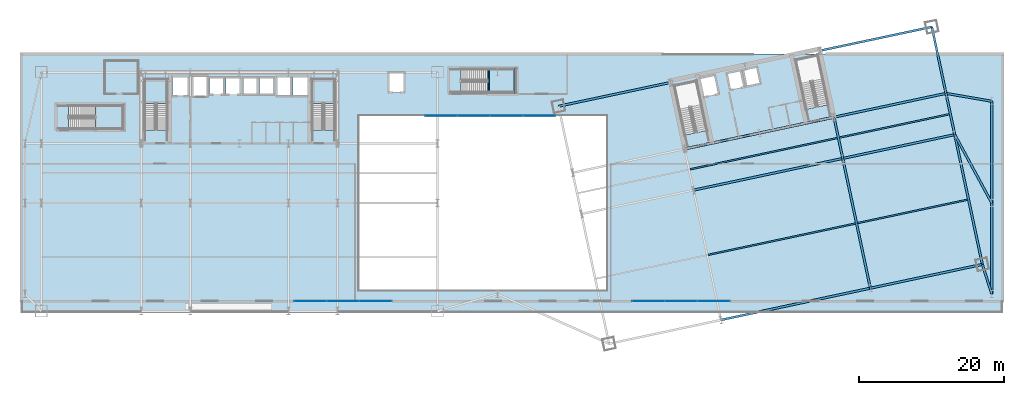
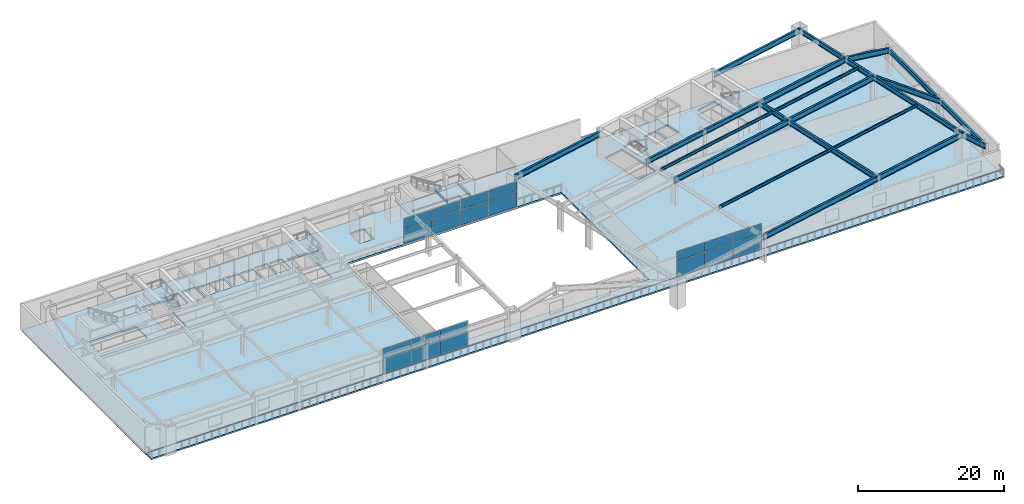
# One storey, part 17 of 35: 25 beams, 20 plates, 6 slabs, 7 elements without a shape of their own.
"""IFC4 building model written with IfcOpenShell, lengths in metres."""

from ifc_helpers import new_model, si_unit, direction, frame, origin, origin_2d, place, context, subcontext, project, spatial, polyline, rectangle, i_section, outline, extrude, material, layer, layer_set, material_profile, profile_set, type_object, element, aggregate, save


model = new_model("IFC4")

# Units and contexts
model_context = context("Model", 3, precision=1e-05, world=origin(), true_north=direction((0.0, 1.0)))
body_context = subcontext(model_context, "Body", "Model", "MODEL_VIEW")
ifc_project = project(units=[si_unit("LENGTHUNIT", "METRE"), si_unit("AREAUNIT", "SQUARE_METRE"), si_unit("VOLUMEUNIT", "CUBIC_METRE"), si_unit("PLANEANGLEUNIT", "RADIAN"), si_unit("MASSUNIT", "GRAM", prefix="KILO")], contexts=[model_context])

# Site, building, storey
site_placement = place(None, origin())
site = spatial("IfcSite", under=ifc_project, at=site_placement, CompositionType="ELEMENT")
building_placement = place(site_placement, origin())
building = spatial("IfcBuilding", under=site, at=building_placement, Name="Haevon Station Towers", CompositionType="ELEMENT")
storey_placement = place(building_placement, frame((0.0, 0.0, 20.39990234375)))
storey = spatial("IfcBuildingStorey", under=building, at=storey_placement, Name="L04", CompositionType="ELEMENT", Elevation=20.39990234375)

# Beams
ifc_material_1 = material(Name="Steel S355", Category="steel")
ifc_material_profile_1 = material_profile(ifc_material_1, i_section(OverallWidth=0.199951171875, OverallDepth=0.449951171875, WebThickness=0.009033203125, FlangeThickness=0.013916015625, at=origin_2d()), Name="H-450x200x9x14")
ifc_profile_set_1 = profile_set([ifc_material_profile_1], Name="Steel S355")
beam_type_1 = type_object("IfcBeamType", Name="BM-J450", PredefinedType="JOIST", material=ifc_profile_set_1)
beam_1_placement = place(storey_placement, frame((101.963134765625, 22.866455078125, 4.22509765625), z_axis=(0.97814804034, 0.207909622623, 0.0), x_axis=(-0.207909622623, 0.97814804034, 0.0)))
element("IfcBeam", 1, at=beam_1_placement, inside=storey, type_object=beam_type_1, Name="BM-T2J-L04-01-02", PredefinedType="JOIST", context=body_context, shape_type="SweptSolid", body=[
    extrude(i_section(OverallWidth=0.199951171875, OverallDepth=0.449951171875, WebThickness=0.009033203125, FlangeThickness=0.013916015625, at=origin_2d()), origin(), (0.0, 0.0, 1.0), 20.77978515625),
])
beam_2_placement = place(storey_placement, frame((122.504150390625, 27.232666015625, 4.22509765625), z_axis=(0.978149141128, 0.207904443699, 0.0), x_axis=(-0.207904443699, 0.978149141128, 0.0)))
element("IfcBeam", 2, at=beam_2_placement, inside=storey, type_object=beam_type_1, Name="BM-T2J-L04-01-03", PredefinedType="JOIST", context=body_context, shape_type="SweptSolid", body=[
    extrude(i_section(OverallWidth=0.199951171875, OverallDepth=0.449951171875, WebThickness=0.009033203125, FlangeThickness=0.013916015625, at=origin_2d()), origin(), (0.0, 0.0, 1.0), 15.530029296875),
])
beam_3_placement = place(storey_placement, frame((99.462890625, 34.628662109375, 4.22509765625), z_axis=(0.978148548197, 0.207907233306, 0.0), x_axis=(-0.207907233306, 0.978148548197, 0.0)))
element("IfcBeam", 3, at=beam_3_placement, inside=storey, type_object=beam_type_1, Name="BM-T2J-L04-02-02", PredefinedType="JOIST", context=body_context, shape_type="SweptSolid", body=[
    extrude(i_section(OverallWidth=0.199951171875, OverallDepth=0.449951171875, WebThickness=0.009033203125, FlangeThickness=0.013916015625, at=origin_2d()), origin(), (0.0, 0.0, 1.0), 20.780029296875),
])
beam_4_placement = place(storey_placement, frame((120.00390625, 38.994873046875, 4.22509765625), z_axis=(0.978149141128, 0.207904443699, 0.0), x_axis=(-0.207904443699, 0.978149141128, 0.0)))
element("IfcBeam", 4, at=beam_4_placement, inside=storey, type_object=beam_type_1, Name="BM-T2J-L04-02-03", PredefinedType="JOIST", context=body_context, shape_type="SweptSolid", body=[
    extrude(i_section(OverallWidth=0.199951171875, OverallDepth=0.449951171875, WebThickness=0.009033203125, FlangeThickness=0.013916015625, at=origin_2d()), origin(), (0.0, 0.0, 1.0), 15.530029296875),
])
ifc_material_profile_2 = material_profile(ifc_material_1, i_section(OverallWidth=0.14990234375, OverallDepth=0.300048828125, WebThickness=0.006591796875, FlangeThickness=0.009033203125, at=origin_2d()), Name="H-300x150x6.5x9")
ifc_profile_set_2 = profile_set([ifc_material_profile_2], Name="Steel S355")
beam_type_2 = type_object("IfcBeamType", Name="BM-LIN300", PredefinedType="LINTEL", material=ifc_profile_set_2)
for number, where, z_axis, x_axis, name in (
    (5, (71.81396484375, 45.0, 2.050048828125), (0.0, 1.0, 0.0), (-1.0, 0.0, 0.0), "BM-ST6L-L04-1-W"),
    (6, (75.320068359375, 45.0, 2.050048828125), (0.0, 1.0, 0.0), (-1.0, 0.0, 0.0), "BM-ST6L-L04-1-E"),
):
    element("IfcBeam", number, at=place(storey_placement, frame(where, z_axis=z_axis, x_axis=x_axis)), inside=storey, type_object=beam_type_2, Name=name, PredefinedType="LINTEL", context=body_context, shape_type="SweptSolid", body=[
        extrude(i_section(OverallWidth=0.14990234375, OverallDepth=0.300048828125, WebThickness=0.006591796875, FlangeThickness=0.009033203125, at=origin_2d()), origin(), (0.0, 0.0, 1.0), 3.60009765625),
    ])
ifc_material_profile_3 = material_profile(ifc_material_1, i_section(OverallWidth=0.300048828125, OverallDepth=0.800048828125, WebThickness=0.013916015625, FlangeThickness=0.02587890625, at=origin_2d()), Name="H-800x300x14x26")
ifc_profile_set_3 = profile_set([ifc_material_profile_3], Name="Steel S355")
beam_type_3 = type_object("IfcBeamType", Name="BM-PG800", PredefinedType="BEAM", material=ifc_profile_set_3)
for number, where, z_axis, x_axis, name in (
    (7, (98.75244140625, 37.4423828125, 4.050048828125), (0.978146794194, 0.207915485254, 0.0), (-0.207915485254, 0.978146794194, 0.0), "BM-T2U-L04-03-02"),
    (8, (109.02294921875, 39.62548828125, 4.050048828125), (0.978146794194, 0.207915485254, 0.0), (-0.207915485254, 0.978146794194, 0.0), "BM-T2U-L04-03-03"),
):
    element("IfcBeam", number, at=place(storey_placement, frame(where, z_axis=z_axis, x_axis=x_axis)), inside=storey, type_object=beam_type_3, Name=name, PredefinedType="BEAM", context=body_context, shape_type="SweptSolid", body=[
        extrude(i_section(OverallWidth=0.300048828125, OverallDepth=0.800048828125, WebThickness=0.013916015625, FlangeThickness=0.02587890625, at=origin_2d()), origin(), (0.0, 0.0, 1.0), 10.5),
    ])
beam_5_placement = place(storey_placement, frame((124.293701171875, 18.2841796875, 4.050048828125), z_axis=(-0.207915393978, 0.978146813595, 0.0), x_axis=(-0.978146813595, -0.207915393978, 0.0)))
element("IfcBeam", 9, at=beam_5_placement, inside=storey, type_object=beam_type_3, Name="BM-T2V-L04-04-01", PredefinedType="BEAM", context=body_context, shape_type="SweptSolid", body=[
    extrude(i_section(OverallWidth=0.300048828125, OverallDepth=0.800048828125, WebThickness=0.013916015625, FlangeThickness=0.02587890625, at=origin_2d()), origin(), (0.0, 0.0, 1.0), 18.25),
])
beam_6_placement = place(storey_placement, frame((120.499267578125, 36.13525390625, 4.050048828125), z_axis=(-0.207896009217, 0.97815093383, 0.0), x_axis=(-0.97815093383, -0.207896009217, 0.0)))
element("IfcBeam", 10, at=beam_6_placement, inside=storey, type_object=beam_type_3, Name="BM-T2V-L04-04-02", PredefinedType="BEAM", context=body_context, shape_type="SweptSolid", body=[
    extrude(i_section(OverallWidth=0.300048828125, OverallDepth=0.800048828125, WebThickness=0.013916015625, FlangeThickness=0.02587890625, at=origin_2d()), origin(), (0.0, 0.0, 1.0), 5.800048828125),
])
beam_7_placement = place(storey_placement, frame((139.699462890625, 21.558837890625, 4.050048828125), z_axis=(-0.207902594577, 0.978149534155, 0.0), x_axis=(-0.978149534155, -0.207902594577, 0.0)))
element("IfcBeam", 11, at=beam_7_placement, inside=storey, type_object=beam_type_3, Name="BM-T2V-L04-05-01", PredefinedType="BEAM", context=body_context, shape_type="SweptSolid", body=[
    extrude(i_section(OverallWidth=0.300048828125, OverallDepth=0.800048828125, WebThickness=0.013916015625, FlangeThickness=0.02587890625, at=origin_2d()), origin(), (0.0, 0.0, 1.0), 18.249755859375),
])
beam_8_placement = place(storey_placement, frame((135.9052734375, 39.409912109375, 4.050048828125), z_axis=(-0.207936282142, 0.978142373363, 0.0), x_axis=(-0.978142373363, -0.207936282142, 0.0)))
element("IfcBeam", 12, at=beam_8_placement, inside=storey, type_object=beam_type_3, Name="BM-T2V-L04-05-02", PredefinedType="BEAM", context=body_context, shape_type="SweptSolid", body=[
    extrude(i_section(OverallWidth=0.300048828125, OverallDepth=0.800048828125, WebThickness=0.013916015625, FlangeThickness=0.02587890625, at=origin_2d()), origin(), (0.0, 0.0, 1.0), 5.800048828125),
])
beam_9_placement = place(storey_placement, frame((134.69921875, 45.083251953125, 4.050048828125), z_axis=(-0.207902477038, 0.978149559138, 0.0), x_axis=(-0.978149559138, -0.207902477038, 0.0)))
element("IfcBeam", 13, at=beam_9_placement, inside=storey, type_object=beam_type_3, Name="BM-T2V-L04-05-03", PredefinedType="BEAM", context=body_context, shape_type="SweptSolid", body=[
    extrude(i_section(OverallWidth=0.300048828125, OverallDepth=0.800048828125, WebThickness=0.013916015625, FlangeThickness=0.02587890625, at=origin_2d()), origin(), (0.0, 0.0, 1.0), 9.349853515625),
])
beam_10_placement = place(storey_placement, frame((141.0, 17.5, 4.050048828125), z_axis=(0.0, 1.0, 0.0), x_axis=(-1.0, 0.0, 0.0)))
element("IfcBeam", 14, at=beam_10_placement, inside=storey, type_object=beam_type_3, Name="BM-PODNS-L04-E1", PredefinedType="BEAM", context=body_context, shape_type="SweptSolid", body=[
    extrude(i_section(OverallWidth=0.300048828125, OverallDepth=0.800048828125, WebThickness=0.013916015625, FlangeThickness=0.02587890625, at=origin_2d()), origin(), (0.0, 0.0, 1.0), 12.5),
])
beam_11_placement = place(storey_placement, frame((141.0, 30.0, 4.050048828125), z_axis=(0.0, 1.0, 0.0), x_axis=(-1.0, 0.0, 0.0)))
element("IfcBeam", 15, at=beam_11_placement, inside=storey, type_object=beam_type_3, Name="BM-PODNS-L04-E2", PredefinedType="BEAM", context=body_context, shape_type="SweptSolid", body=[
    extrude(i_section(OverallWidth=0.300048828125, OverallDepth=0.800048828125, WebThickness=0.013916015625, FlangeThickness=0.02587890625, at=origin_2d()), origin(), (0.0, 0.0, 1.0), 14.0),
])
ifc_material_profile_4 = material_profile(ifc_material_1, i_section(OverallWidth=0.300048828125, OverallDepth=0.89990234375, WebThickness=0.01611328125, FlangeThickness=0.028076171875, at=origin_2d()), Name="H-900x300x16x28")
ifc_profile_set_4 = profile_set([ifc_material_profile_4], Name="Steel S355")
beam_type_4 = type_object("IfcBeamType", Name="BM-PG900", PredefinedType="BEAM", material=ifc_profile_set_4)
beam_12_placement = place(storey_placement, frame((103.752685546875, 13.91796875, 4.0), z_axis=(0.978146794194, 0.207915485254, 0.0), x_axis=(-0.207915485254, 0.978146794194, 0.0)))
element("IfcBeam", 16, at=beam_12_placement, inside=storey, type_object=beam_type_4, Name="BM-T2U-L04-01-02", PredefinedType="BEAM", context=body_context, shape_type="SweptSolid", body=[
    extrude(i_section(OverallWidth=0.300048828125, OverallDepth=0.89990234375, WebThickness=0.01611328125, FlangeThickness=0.028076171875, at=origin_2d()), origin(), (0.0, 0.0, 1.0), 21.0),
])
beam_13_placement = place(storey_placement, frame((124.293701171875, 18.2841796875, 4.0), z_axis=(0.978146794194, 0.207915485254, 0.0), x_axis=(-0.207915485254, 0.978146794194, 0.0)))
element("IfcBeam", 17, at=beam_13_placement, inside=storey, type_object=beam_type_4, Name="BM-T2U-L04-01-04", PredefinedType="BEAM", context=body_context, shape_type="SweptSolid", body=[
    extrude(i_section(OverallWidth=0.300048828125, OverallDepth=0.89990234375, WebThickness=0.01611328125, FlangeThickness=0.028076171875, at=origin_2d()), origin(), (0.0, 0.0, 1.0), 15.75),
])
beam_14_placement = place(storey_placement, frame((99.958251953125, 31.76904296875, 4.0), z_axis=(0.978146794194, 0.207915485254, 0.0), x_axis=(-0.207915485254, 0.978146794194, 0.0)))
element("IfcBeam", 18, at=beam_14_placement, inside=storey, type_object=beam_type_4, Name="BM-T2U-L04-02-02", PredefinedType="BEAM", context=body_context, shape_type="SweptSolid", body=[
    extrude(i_section(OverallWidth=0.300048828125, OverallDepth=0.89990234375, WebThickness=0.01611328125, FlangeThickness=0.028076171875, at=origin_2d()), origin(), (0.0, 0.0, 1.0), 21.0),
])
beam_15_placement = place(storey_placement, frame((120.499267578125, 36.13525390625, 4.0), z_axis=(0.978147464271, 0.207912332825, 0.0), x_axis=(-0.207912332825, 0.978147464271, 0.0)))
element("IfcBeam", 19, at=beam_15_placement, inside=storey, type_object=beam_type_4, Name="BM-T2U-L04-02-04", PredefinedType="BEAM", context=body_context, shape_type="SweptSolid", body=[
    extrude(i_section(OverallWidth=0.300048828125, OverallDepth=0.89990234375, WebThickness=0.01611328125, FlangeThickness=0.028076171875, at=origin_2d()), origin(), (0.0, 0.0, 1.0), 15.750244140625),
])
for number, where, z_axis, x_axis, name in (
    (20, (119.29345703125, 41.80859375, 4.0), (0.978146794194, 0.207915485254, 0.0), (-0.207915485254, 0.978146794194, 0.0), "BM-T2U-L04-03-04"),
    (21, (81.402587890625, 43.3134765625, 4.0), (0.978146794194, 0.207915485254, 0.0), (-0.207915485254, 0.978146794194, 0.0), "BM-T2U-L04-04-01"),
):
    element("IfcBeam", number, at=place(storey_placement, frame(where, z_axis=z_axis, x_axis=x_axis)), inside=storey, type_object=beam_type_4, Name=name, PredefinedType="BEAM", context=body_context, shape_type="SweptSolid", body=[
        extrude(i_section(OverallWidth=0.300048828125, OverallDepth=0.89990234375, WebThickness=0.01611328125, FlangeThickness=0.028076171875, at=origin_2d()), origin(), (0.0, 0.0, 1.0), 15.75),
    ])
beam_16_placement = place(storey_placement, frame((117.349365234375, 50.954345703125, 4.0), z_axis=(0.978150616551, 0.207897502008, 0.0), x_axis=(-0.207897502008, 0.978150616551, 0.0)))
element("IfcBeam", 22, at=beam_16_placement, inside=storey, type_object=beam_type_4, Name="BM-T2U-L04-04-04", PredefinedType="BEAM", context=body_context, shape_type="SweptSolid", body=[
    extrude(i_section(OverallWidth=0.300048828125, OverallDepth=0.89990234375, WebThickness=0.01611328125, FlangeThickness=0.028076171875, at=origin_2d()), origin(), (0.0, 0.0, 1.0), 15.750244140625),
])
beam_17_placement = place(storey_placement, frame((139.699462890625, 21.558837890625, 4.0), z_axis=(0.305139430983, -0.952307685393, 0.0), x_axis=(0.952307685393, 0.305139430983, 0.0)))
element("IfcBeam", 23, at=beam_17_placement, inside=storey, type_object=beam_type_4, Name="BM-PODE-L04-1", PredefinedType="BEAM", context=body_context, shape_type="SweptSolid", body=[
    extrude(i_section(OverallWidth=0.300048828125, OverallDepth=0.89990234375, WebThickness=0.01611328125, FlangeThickness=0.028076171875, at=origin_2d()), origin(), (0.0, 0.0, 1.0), 4.26220703125),
])
beam_18_placement = place(storey_placement, frame((135.9052734375, 39.409912109375, 4.0), z_axis=(0.476116295025, -0.879382325051, 0.0), x_axis=(0.879382325051, 0.476116295025, 0.0)))
element("IfcBeam", 24, at=beam_18_placement, inside=storey, type_object=beam_type_4, Name="BM-PODE-L04-2", PredefinedType="BEAM", context=body_context, shape_type="SweptSolid", body=[
    extrude(i_section(OverallWidth=0.300048828125, OverallDepth=0.89990234375, WebThickness=0.01611328125, FlangeThickness=0.028076171875, at=origin_2d()), origin(), (0.0, 0.0, 1.0), 10.70068359375),
])
beam_19_placement = place(storey_placement, frame((134.69921875, 45.083251953125, 4.0), z_axis=(0.985540920751, -0.169437580028, 0.0), x_axis=(0.169437580028, 0.985540920751, 0.0)))
element("IfcBeam", 25, at=beam_19_placement, inside=storey, type_object=beam_type_4, Name="BM-PODE-L04-3", PredefinedType="BEAM", context=body_context, shape_type="SweptSolid", body=[
    extrude(i_section(OverallWidth=0.300048828125, OverallDepth=0.89990234375, WebThickness=0.01611328125, FlangeThickness=0.028076171875, at=origin_2d()), origin(), (0.0, 0.0, 1.0), 6.393310546875),
])

# Curtain wall, plates
ifc_material_2 = material(Name="Anodised aluminium and Low-E double glazing", Category="aluminium")
ifc_layer_1 = layer(ifc_material_2, 0.179931640625)
ifc_layer_set_1 = layer_set([ifc_layer_1], Name="Anodised aluminium and Low-E double glazing")
curtain_wall_type = type_object("IfcCurtainWallType", Name="CW-SYS2", PredefinedType="NOTDEFINED", material=ifc_layer_set_1)
curtain_wall_1_placement = place(storey_placement, origin())
curtain_wall_1 = element("IfcCurtainWall", 26, at=curtain_wall_1_placement, inside=storey, type_object=curtain_wall_type, Name="L04 Curtain Wall CW-POD-L04-S1", PredefinedType="NOTDEFINED")
ifc_material_3 = material(Name="Low-E double glazing", Category="glass")
ifc_layer_2 = layer(ifc_material_3, 0.028076171875)
ifc_layer_set_2 = layer_set([ifc_layer_2], Name="Low-E double glazing")
plate_type = type_object("IfcPlateType", Name="CWP-GLZ28", PredefinedType="CURTAIN_PANEL", material=ifc_layer_set_2)
plate_1_placement = place(storey_placement, frame((102.733642578125, 16.5, 0.06005859375), z_axis=(0.0, 0.0, 1.0), x_axis=(-1.0, 0.0, 0.0)))
plate_1 = element("IfcPlate", 27, at=plate_1_placement, type_object=plate_type, Name="CW-SYS2 panel 1.1", PredefinedType="CURTAIN_PANEL", context=body_context, shape_type="SweptSolid", body=[
    extrude(rectangle(XDim=4.402587890625, YDim=0.028076171875, at=origin_2d()), origin(), (0.0, 0.0, 1.0), 2.60693359375),
])
plate_2_placement = place(storey_placement, frame((102.733642578125, 16.5, 2.72705078125), z_axis=(0.0, 0.0, 1.0), x_axis=(-1.0, 0.0, 0.0)))
plate_2 = element("IfcPlate", 28, at=plate_2_placement, type_object=plate_type, Name="CW-SYS2 panel 1.2", PredefinedType="CURTAIN_PANEL", context=body_context, shape_type="SweptSolid", body=[
    extrude(rectangle(XDim=4.402587890625, YDim=0.028076171875, at=origin_2d()), origin(), (0.0, 0.0, 1.0), 1.56298828125),
])
plate_3_placement = place(storey_placement, frame((98.25, 16.5, 0.06005859375), z_axis=(0.0, 0.0, 1.0), x_axis=(-1.0, 0.0, 0.0)))
plate_3 = element("IfcPlate", 29, at=plate_3_placement, type_object=plate_type, Name="CW-SYS2 panel 2.1", PredefinedType="CURTAIN_PANEL", context=body_context, shape_type="SweptSolid", body=[
    extrude(rectangle(XDim=4.43505859375, YDim=0.028076171875, at=origin_2d()), origin(), (0.0, 0.0, 1.0), 2.60693359375),
])
plate_4_placement = place(storey_placement, frame((98.25, 16.5, 2.72705078125), z_axis=(0.0, 0.0, 1.0), x_axis=(-1.0, 0.0, 0.0)))
plate_4 = element("IfcPlate", 30, at=plate_4_placement, type_object=plate_type, Name="CW-SYS2 panel 2.2", PredefinedType="CURTAIN_PANEL", context=body_context, shape_type="SweptSolid", body=[
    extrude(rectangle(XDim=4.43505859375, YDim=0.028076171875, at=origin_2d()), origin(), (0.0, 0.0, 1.0), 1.56298828125),
])
plate_5_placement = place(storey_placement, frame((93.766357421875, 16.5, 0.06005859375), z_axis=(0.0, 0.0, 1.0), x_axis=(-1.0, 0.0, 0.0)))
plate_5 = element("IfcPlate", 31, at=plate_5_placement, type_object=plate_type, Name="CW-SYS2 panel 3.1", PredefinedType="CURTAIN_PANEL", context=body_context, shape_type="SweptSolid", body=[
    extrude(rectangle(XDim=4.402587890625, YDim=0.028076171875, at=origin_2d()), origin(), (0.0, 0.0, 1.0), 2.60693359375),
])
plate_6_placement = place(storey_placement, frame((93.766357421875, 16.5, 2.72705078125), z_axis=(0.0, 0.0, 1.0), x_axis=(-1.0, 0.0, 0.0)))
plate_6 = element("IfcPlate", 32, at=plate_6_placement, type_object=plate_type, Name="CW-SYS2 panel 3.2", PredefinedType="CURTAIN_PANEL", context=body_context, shape_type="SweptSolid", body=[
    extrude(rectangle(XDim=4.402587890625, YDim=0.028076171875, at=origin_2d()), origin(), (0.0, 0.0, 1.0), 1.56298828125),
])
aggregate(curtain_wall_1, [plate_1, plate_2, plate_3, plate_4, plate_5, plate_6])

curtain_wall_2_placement = place(storey_placement, origin())
curtain_wall_2 = element("IfcCurtainWall", 33, at=curtain_wall_2_placement, inside=storey, type_object=curtain_wall_type, Name="L04 Curtain Wall CW-POD-L04-S2", PredefinedType="NOTDEFINED")
plate_7_placement = place(storey_placement, frame((56.233642578125, 16.5, 0.06005859375), z_axis=(0.0, 0.0, 1.0), x_axis=(-1.0, 0.0, 0.0)))
plate_7 = element("IfcPlate", 34, at=plate_7_placement, type_object=plate_type, Name="CW-SYS2 panel 1.1", PredefinedType="CURTAIN_PANEL", context=body_context, shape_type="SweptSolid", body=[
    extrude(rectangle(XDim=4.402587890625, YDim=0.028076171875, at=origin_2d()), origin(), (0.0, 0.0, 1.0), 2.60693359375),
])
plate_8_placement = place(storey_placement, frame((56.233642578125, 16.5, 2.72705078125), z_axis=(0.0, 0.0, 1.0), x_axis=(-1.0, 0.0, 0.0)))
plate_8 = element("IfcPlate", 35, at=plate_8_placement, type_object=plate_type, Name="CW-SYS2 panel 1.2", PredefinedType="CURTAIN_PANEL", context=body_context, shape_type="SweptSolid", body=[
    extrude(rectangle(XDim=4.402587890625, YDim=0.028076171875, at=origin_2d()), origin(), (0.0, 0.0, 1.0), 1.56298828125),
])
plate_9_placement = place(storey_placement, frame((51.75, 16.5, 0.06005859375), z_axis=(0.0, 0.0, 1.0), x_axis=(-1.0, 0.0, 0.0)))
plate_9 = element("IfcPlate", 36, at=plate_9_placement, type_object=plate_type, Name="CW-SYS2 panel 2.1", PredefinedType="CURTAIN_PANEL", context=body_context, shape_type="SweptSolid", body=[
    extrude(rectangle(XDim=4.43505859375, YDim=0.028076171875, at=origin_2d()), origin(), (0.0, 0.0, 1.0), 2.60693359375),
])
plate_10_placement = place(storey_placement, frame((51.75, 16.5, 2.72705078125), z_axis=(0.0, 0.0, 1.0), x_axis=(-1.0, 0.0, 0.0)))
plate_10 = element("IfcPlate", 37, at=plate_10_placement, type_object=plate_type, Name="CW-SYS2 panel 2.2", PredefinedType="CURTAIN_PANEL", context=body_context, shape_type="SweptSolid", body=[
    extrude(rectangle(XDim=4.43505859375, YDim=0.028076171875, at=origin_2d()), origin(), (0.0, 0.0, 1.0), 1.56298828125),
])
plate_11_placement = place(storey_placement, frame((47.266357421875, 16.5, 0.06005859375), z_axis=(0.0, 0.0, 1.0), x_axis=(-1.0, 0.0, 0.0)))
plate_11 = element("IfcPlate", 38, at=plate_11_placement, type_object=plate_type, Name="CW-SYS2 panel 3.1", PredefinedType="CURTAIN_PANEL", context=body_context, shape_type="SweptSolid", body=[
    extrude(rectangle(XDim=4.402587890625, YDim=0.028076171875, at=origin_2d()), origin(), (0.0, 0.0, 1.0), 2.60693359375),
])
plate_12_placement = place(storey_placement, frame((47.266357421875, 16.5, 2.72705078125), z_axis=(0.0, 0.0, 1.0), x_axis=(-1.0, 0.0, 0.0)))
plate_12 = element("IfcPlate", 39, at=plate_12_placement, type_object=plate_type, Name="CW-SYS2 panel 3.2", PredefinedType="CURTAIN_PANEL", context=body_context, shape_type="SweptSolid", body=[
    extrude(rectangle(XDim=4.402587890625, YDim=0.028076171875, at=origin_2d()), origin(), (0.0, 0.0, 1.0), 1.56298828125),
])
aggregate(curtain_wall_2, [plate_7, plate_8, plate_9, plate_10, plate_11, plate_12])

curtain_wall_3_placement = place(storey_placement, origin())
curtain_wall_3 = element("IfcCurtainWall", 40, at=curtain_wall_3_placement, inside=storey, type_object=curtain_wall_type, Name="L04 Curtain Wall CW-POD-L04-ATRN", PredefinedType="NOTDEFINED")
plate_13_placement = place(storey_placement, frame((65.266357421875, 42.0, 0.06005859375), z_axis=(0.0, 0.0, 1.0), x_axis=(1.0, 0.0, 0.0)))
plate_13 = element("IfcPlate", 41, at=plate_13_placement, type_object=plate_type, Name="CW-SYS2 panel 1.1", PredefinedType="CURTAIN_PANEL", context=body_context, shape_type="SweptSolid", body=[
    extrude(rectangle(XDim=4.402587890625, YDim=0.028076171875, at=origin_2d()), origin(), (0.0, 0.0, 1.0), 2.60693359375),
])
plate_14_placement = place(storey_placement, frame((65.266357421875, 42.0, 2.72705078125), z_axis=(0.0, 0.0, 1.0), x_axis=(1.0, 0.0, 0.0)))
plate_14 = element("IfcPlate", 42, at=plate_14_placement, type_object=plate_type, Name="CW-SYS2 panel 1.2", PredefinedType="CURTAIN_PANEL", context=body_context, shape_type="SweptSolid", body=[
    extrude(rectangle(XDim=4.402587890625, YDim=0.028076171875, at=origin_2d()), origin(), (0.0, 0.0, 1.0), 1.56298828125),
])
plate_15_placement = place(storey_placement, frame((69.75, 42.0, 0.06005859375), z_axis=(0.0, 0.0, 1.0), x_axis=(1.0, 0.0, 0.0)))
plate_15 = element("IfcPlate", 43, at=plate_15_placement, type_object=plate_type, Name="CW-SYS2 panel 2.1", PredefinedType="CURTAIN_PANEL", context=body_context, shape_type="SweptSolid", body=[
    extrude(rectangle(XDim=4.43505859375, YDim=0.028076171875, at=origin_2d()), origin(), (0.0, 0.0, 1.0), 2.60693359375),
])
plate_16_placement = place(storey_placement, frame((69.75, 42.0, 2.72705078125), z_axis=(0.0, 0.0, 1.0), x_axis=(1.0, 0.0, 0.0)))
plate_16 = element("IfcPlate", 44, at=plate_16_placement, type_object=plate_type, Name="CW-SYS2 panel 2.2", PredefinedType="CURTAIN_PANEL", context=body_context, shape_type="SweptSolid", body=[
    extrude(rectangle(XDim=4.43505859375, YDim=0.028076171875, at=origin_2d()), origin(), (0.0, 0.0, 1.0), 1.56298828125),
])
plate_17_placement = place(storey_placement, frame((74.25, 42.0, 0.06005859375), z_axis=(0.0, 0.0, 1.0), x_axis=(1.0, 0.0, 0.0)))
plate_17 = element("IfcPlate", 45, at=plate_17_placement, type_object=plate_type, Name="CW-SYS2 panel 3.1", PredefinedType="CURTAIN_PANEL", context=body_context, shape_type="SweptSolid", body=[
    extrude(rectangle(XDim=4.43505859375, YDim=0.028076171875, at=origin_2d()), origin(), (0.0, 0.0, 1.0), 2.60693359375),
])
plate_18_placement = place(storey_placement, frame((74.25, 42.0, 2.72705078125), z_axis=(0.0, 0.0, 1.0), x_axis=(1.0, 0.0, 0.0)))
plate_18 = element("IfcPlate", 46, at=plate_18_placement, type_object=plate_type, Name="CW-SYS2 panel 3.2", PredefinedType="CURTAIN_PANEL", context=body_context, shape_type="SweptSolid", body=[
    extrude(rectangle(XDim=4.43505859375, YDim=0.028076171875, at=origin_2d()), origin(), (0.0, 0.0, 1.0), 1.56298828125),
])
plate_19_placement = place(storey_placement, frame((78.733642578125, 42.0, 0.06005859375), z_axis=(0.0, 0.0, 1.0), x_axis=(1.0, 0.0, 0.0)))
plate_19 = element("IfcPlate", 47, at=plate_19_placement, type_object=plate_type, Name="CW-SYS2 panel 4.1", PredefinedType="CURTAIN_PANEL", context=body_context, shape_type="SweptSolid", body=[
    extrude(rectangle(XDim=4.402587890625, YDim=0.028076171875, at=origin_2d()), origin(), (0.0, 0.0, 1.0), 2.60693359375),
])
plate_20_placement = place(storey_placement, frame((78.733642578125, 42.0, 2.72705078125), z_axis=(0.0, 0.0, 1.0), x_axis=(1.0, 0.0, 0.0)))
plate_20 = element("IfcPlate", 48, at=plate_20_placement, type_object=plate_type, Name="CW-SYS2 panel 4.2", PredefinedType="CURTAIN_PANEL", context=body_context, shape_type="SweptSolid", body=[
    extrude(rectangle(XDim=4.402587890625, YDim=0.028076171875, at=origin_2d()), origin(), (0.0, 0.0, 1.0), 1.56298828125),
])
aggregate(curtain_wall_3, [plate_13, plate_14, plate_15, plate_16, plate_17, plate_18, plate_19, plate_20])

# Stair, slab
ifc_material_4 = material(Name="Concrete C40/50", Category="concrete")
stair_type_1 = type_object("IfcStairType", Name="STR-DL1450", PredefinedType="USERDEFINED", material=ifc_material_4)
stair_1_placement = place(storey_placement, origin())
stair_1 = element("IfcStair", 49, at=stair_1_placement, inside=storey, type_object=stair_type_1, Name="L04 Escape Stair ST1", ObjectType="TWO_RETURN_STAIR", PredefinedType="USERDEFINED")
ifc_layer_3 = layer(ifc_material_4, 0.199951171875)
ifc_layer_set_3 = layer_set([ifc_layer_3], Name="Concrete C40/50")
slab_type_1 = type_object("IfcSlabType", Name="SL-LND200", PredefinedType="LANDING", material=ifc_layer_set_3)
slab_1_placement = place(storey_placement, frame((0.0, 0.0, 2.2001953125)))
slab_1 = element("IfcSlab", 50, at=slab_1_placement, type_object=slab_type_1, Name="L04 ST1 Half Landing 1", PredefinedType="LANDING", context=body_context, shape_type="SweptSolid", body=[
    extrude(outline(polyline([(27.580078125, 43.68408203125), (27.580078125, 47.0), (24.47998046875, 47.0), (24.47998046875, 43.68408203125), (27.580078125, 43.68408203125)])), origin(), (0.0, 0.0, 1.0), 0.199951171875),
])
aggregate(stair_1, [slab_1])

stair_2_placement = place(storey_placement, origin())
stair_2 = element("IfcStair", 51, at=stair_2_placement, inside=storey, type_object=stair_type_1, Name="L04 Escape Stair ST2", ObjectType="TWO_RETURN_STAIR", PredefinedType="USERDEFINED")
slab_2_placement = place(storey_placement, frame((0.0, 0.0, 2.2001953125)))
slab_2 = element("IfcSlab", 52, at=slab_2_placement, type_object=slab_type_1, Name="L04 ST2 Half Landing 1", PredefinedType="LANDING", context=body_context, shape_type="SweptSolid", body=[
    extrude(outline(polyline([(50.6201171875, 43.68408203125), (50.6201171875, 47.0), (47.52001953125, 47.0), (47.52001953125, 43.68408203125), (50.6201171875, 43.68408203125)])), origin(), (0.0, 0.0, 1.0), 0.199951171875),
])
aggregate(stair_2, [slab_2])

stair_type_2 = type_object("IfcStairType", Name="STR-DL1500", PredefinedType="USERDEFINED", material=ifc_material_4)
stair_3_placement = place(storey_placement, origin())
stair_3 = element("IfcStair", 53, at=stair_3_placement, inside=storey, type_object=stair_type_2, Name="L04 Escape Stair ST5", ObjectType="TWO_RETURN_STAIR", PredefinedType="USERDEFINED")
slab_3_placement = place(storey_placement, frame((0.0, 0.0, 2.2001953125)))
slab_3 = element("IfcSlab", 54, at=slab_3_placement, type_object=slab_type_1, Name="L04 ST5 Half Landing 1", PredefinedType="LANDING", context=body_context, shape_type="SweptSolid", body=[
    extrude(outline(polyline([(17.634033203125, 40.199951171875), (21.5, 40.199951171875), (21.5, 43.39990234375), (17.634033203125, 43.39990234375), (17.634033203125, 40.199951171875)])), origin(), (0.0, 0.0, 1.0), 0.199951171875),
])
aggregate(stair_3, [slab_3])

stair_4_placement = place(storey_placement, origin())
stair_4 = element("IfcStair", 55, at=stair_4_placement, inside=storey, type_object=stair_type_2, Name="L04 Escape Stair ST6", ObjectType="TWO_RETURN_STAIR", PredefinedType="USERDEFINED")
slab_4_placement = place(storey_placement, frame((0.0, 0.0, 2.2001953125)))
slab_4 = element("IfcSlab", 56, at=slab_4_placement, type_object=slab_type_1, Name="L04 ST6 Half Landing 1", PredefinedType="LANDING", context=body_context, shape_type="SweptSolid", body=[
    extrude(outline(polyline([(71.634033203125, 45.199951171875), (75.5, 45.199951171875), (75.5, 48.39990234375), (71.634033203125, 48.39990234375), (71.634033203125, 45.199951171875)])), origin(), (0.0, 0.0, 1.0), 0.199951171875),
])
aggregate(stair_4, [slab_4])

# Slabs
ifc_layer_4 = layer(ifc_material_4, 0.300048828125)
ifc_layer_set_4 = layer_set([ifc_layer_4], Name="Concrete C40/50")
slab_type_2 = type_object("IfcSlabType", Name="SL-POD300", PredefinedType="FLOOR", material=ifc_layer_set_4)
slab_5_placement = place(storey_placement, frame((0.0, 0.0, -0.2998046875)))
element("IfcSlab", 57, at=slab_5_placement, inside=storey, type_object=slab_type_2, Name="SL-POD-L04", PredefinedType="FLOOR", context=body_context, shape_type="SweptSolid", body=[
    extrude(outline(polyline([(7.5, 16.5), (142.5, 16.5), (142.5, 50.5), (7.5, 50.5), (7.5, 16.5)]), holes=[polyline([(54.0, 18.0), (88.0, 18.0), (88.0, 42.0), (54.0, 42.0), (54.0, 18.0)]), polyline([(27.580078125, 40.055908203125), (27.580078125, 47.0), (24.47998046875, 47.0), (24.47998046875, 40.055908203125), (27.580078125, 40.055908203125)]), polyline([(50.6201171875, 40.055908203125), (50.6201171875, 47.0), (47.52001953125, 47.0), (47.52001953125, 40.055908203125), (50.6201171875, 40.055908203125)]), polyline([(101.8095703125, 39.98974609375), (100.36572265625, 46.781982421875), (97.33349609375, 46.137451171875), (98.77734375, 39.34521484375), (101.8095703125, 39.98974609375)]), polyline([(118.496826171875, 43.53662109375), (117.052978515625, 50.328857421875), (114.020751953125, 49.684326171875), (115.464599609375, 42.89208984375), (118.496826171875, 43.53662109375)]), polyline([(14.006103515625, 40.199951171875), (21.5, 40.199951171875), (21.5, 43.39990234375), (14.006103515625, 43.39990234375), (14.006103515625, 40.199951171875)]), polyline([(68.006103515625, 45.199951171875), (75.5, 45.199951171875), (75.5, 48.39990234375), (68.006103515625, 48.39990234375), (68.006103515625, 45.199951171875)]), polyline([(28.300048828125, 44.699951171875), (30.5, 44.699951171875), (30.5, 47.39990234375), (28.300048828125, 47.39990234375), (28.300048828125, 44.699951171875)]), polyline([(101.43212890625, 44.554931640625), (103.486328125, 44.99169921875), (102.9248046875, 47.632568359375), (100.870849609375, 47.196044921875), (101.43212890625, 44.554931640625)]), polyline([(31.050048828125, 44.60009765625), (33.14990234375, 44.60009765625), (33.14990234375, 47.5), (31.050048828125, 47.5), (31.050048828125, 44.60009765625)]), polyline([(33.39990234375, 44.89990234375), (35.39990234375, 44.89990234375), (35.39990234375, 47.300048828125), (33.39990234375, 47.300048828125), (33.39990234375, 44.89990234375)]), polyline([(35.64990234375, 44.89990234375), (37.64990234375, 44.89990234375), (37.64990234375, 47.300048828125), (35.64990234375, 47.300048828125), (35.64990234375, 44.89990234375)]), polyline([(38.0, 44.89990234375), (40.0, 44.89990234375), (40.0, 47.300048828125), (38.0, 47.300048828125), (38.0, 44.89990234375)]), polyline([(40.25, 44.89990234375), (42.25, 44.89990234375), (42.25, 47.300048828125), (40.25, 47.300048828125), (40.25, 44.89990234375)]), polyline([(42.60009765625, 44.699951171875), (44.60009765625, 44.699951171875), (44.60009765625, 47.39990234375), (42.60009765625, 47.39990234375), (42.60009765625, 44.699951171875)]), polyline([(44.85009765625, 44.699951171875), (46.85009765625, 44.699951171875), (46.85009765625, 47.39990234375), (44.85009765625, 47.39990234375), (44.85009765625, 44.699951171875)]), polyline([(105.009765625, 45.519775390625), (106.966064453125, 45.935791015625), (106.467041015625, 48.283203125), (104.5107421875, 47.867431640625), (105.009765625, 45.519775390625)]), polyline([(107.259521484375, 45.998046875), (109.2158203125, 46.413818359375), (108.716796875, 48.761474609375), (106.760498046875, 48.345703125), (107.259521484375, 45.998046875)]), polyline([(58.0, 45.199951171875), (60.199951171875, 45.199951171875), (60.199951171875, 48.0), (58.0, 48.0), (58.0, 45.199951171875)])]), origin(), (0.0, 0.0, 1.0), 0.2998046875),
])
ifc_layer_5 = layer(ifc_material_4, 0.25)
ifc_layer_set_5 = layer_set([ifc_layer_5], Name="Concrete C40/50")
slab_type_3 = type_object("IfcSlabType", Name="SL-TERR250", PredefinedType="FLOOR", material=ifc_layer_set_5)
slab_6_placement = place(storey_placement, frame((0.0, 0.0, -0.25)))
element("IfcSlab", 58, at=slab_6_placement, inside=storey, type_object=slab_type_3, Name="L04 Outdoor Terrace POD-TERR-L04", PredefinedType="FLOOR", context=body_context, shape_type="SweptSolid", body=[
    extrude(outline(polyline([(7.5, 15.0), (142.5, 15.0), (142.5, 16.4951171875), (7.5, 16.4951171875), (7.5, 15.0)])), origin(), (0.0, 0.0, 1.0), 0.25),
])

save(model, "model.ifc")
